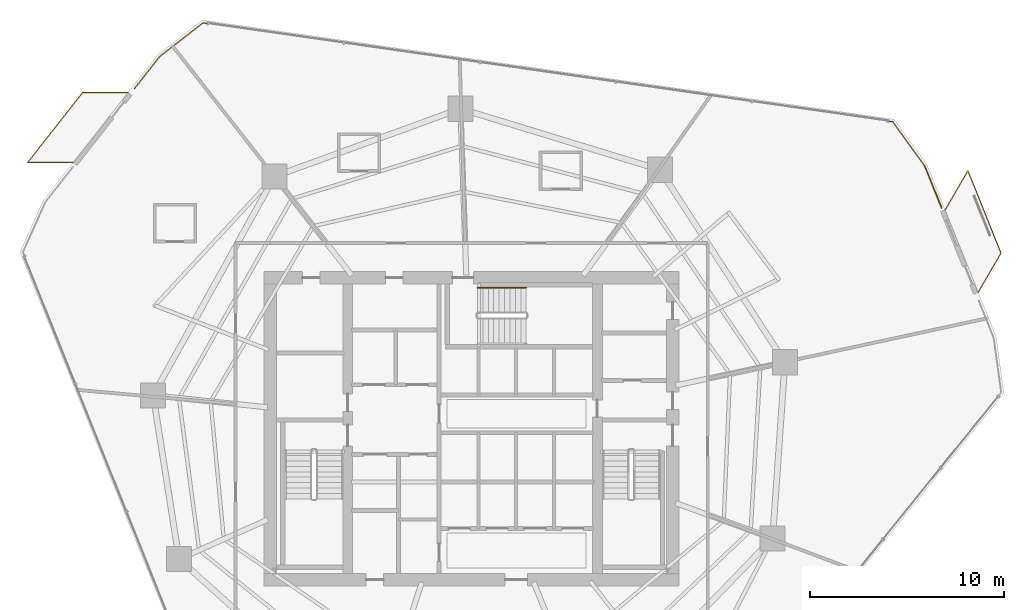
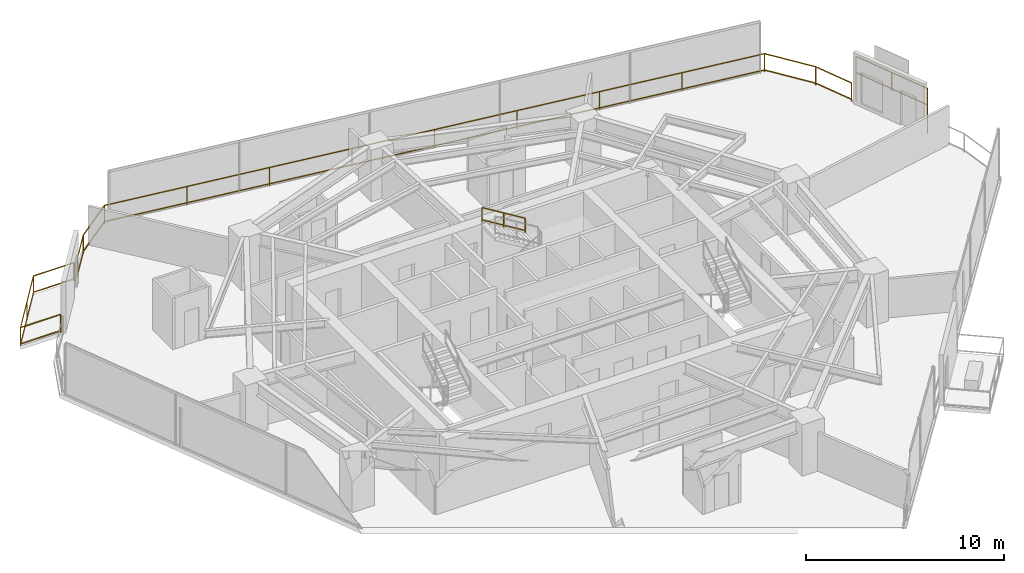
# One storey, part 32 of 32: 5 railings.
"""IFC4 building model written with IfcOpenShell, lengths in metres."""

from ifc_helpers import new_model, si_unit, direction, frame, origin, origin_2d, place, context, subcontext, project, spatial, rectangle, extrude, material, type_object, element, save


model = new_model("IFC4")

# Units and contexts
model_context = context("Model", 3, precision=1e-05, world=origin(), true_north=direction((0.0, 1.0)))
body_context = subcontext(model_context, "Body", "Model", "MODEL_VIEW")
ifc_project = project(units=[si_unit("LENGTHUNIT", "METRE"), si_unit("AREAUNIT", "SQUARE_METRE"), si_unit("VOLUMEUNIT", "CUBIC_METRE"), si_unit("PLANEANGLEUNIT", "RADIAN"), si_unit("MASSUNIT", "GRAM", prefix="KILO")], contexts=[model_context])

# Site, building, storey
site_placement = place(None, origin())
site = spatial("IfcSite", under=ifc_project, at=site_placement, CompositionType="ELEMENT")
building_placement = place(site_placement, origin())
building = spatial("IfcBuilding", under=site, at=building_placement, Name="Qarnah Convention Tower", CompositionType="ELEMENT")
storey_placement = place(building_placement, frame((0.0, 0.0, 37.35009765625)))
storey = spatial("IfcBuildingStorey", under=building, at=storey_placement, Name="L08", CompositionType="ELEMENT", Elevation=37.35009765625)

# Railings
ifc_material_1 = material(Name="Black anodised aluminium", Category="aluminium")
railing_type_1 = type_object("IfcRailingType", Name="RL-EXT-GUARD-1150", PredefinedType="GUARDRAIL", material=ifc_material_1)
railing_1_placement = place(storey_placement, frame((60.617919921875, 39.969970703125, 0.0)))
element("IfcRailing", 1, at=railing_1_placement, inside=storey, type_object=railing_type_1, Name="L08 slab-edge perimeter safety guard 01", PredefinedType="GUARDRAIL", context=body_context, shape_type="SweptSolid", body=[
    extrude(rectangle(XDim=0.048095703125, YDim=0.048095703125, at=origin_2d()), frame((0.0, 0.0, 1.1259765625), z_axis=(0.372065833732, -0.928206343099, 0.0), x_axis=(0.928206343099, 0.372065833732, 0.0)), (0.0, 0.0, 1.0), 2.306396484375),
    extrude(rectangle(XDim=0.048095703125, YDim=0.048095703125, at=origin_2d()), frame((0.0, 0.0, 0.1201171875), z_axis=(0.372065833732, -0.928206343099, 0.0), x_axis=(0.928206343099, 0.372065833732, 0.0)), (0.0, 0.0, 1.0), 2.306396484375),
    extrude(rectangle(XDim=0.0419921875, YDim=0.0419921875, at=origin_2d()), origin(), (0.0, 0.0, 1.0), 1.101806640625),
    extrude(rectangle(XDim=0.0419921875, YDim=0.0419921875, at=origin_2d()), frame((0.858154296875, -2.140869140625, 0.0)), (0.0, 0.0, 1.0), 1.101806640625),
])
railing_2_placement = place(storey_placement, frame((19.784912109375, 43.991943359375, 0.0)))
element("IfcRailing", 2, at=railing_2_placement, inside=storey, type_object=railing_type_1, Name="L08 slab-edge perimeter safety guard 04", PredefinedType="GUARDRAIL", context=body_context, shape_type="SweptSolid", body=[
    extrude(rectangle(XDim=0.048095703125, YDim=0.048095703125, at=origin_2d()), frame((0.0, 0.0, 1.1259765625), z_axis=(0.617862731712, 0.786285981537, 0.0), x_axis=(-0.786285981537, 0.617862731712, 0.0)), (0.0, 0.0, 1.0), 2.0947265625),
    extrude(rectangle(XDim=0.048095703125, YDim=0.048095703125, at=origin_2d()), frame((0.0, 0.0, 0.1201171875), z_axis=(0.617862731712, 0.786285981537, 0.0), x_axis=(-0.786285981537, 0.617862731712, 0.0)), (0.0, 0.0, 1.0), 2.0947265625),
    extrude(rectangle(XDim=0.048095703125, YDim=0.048095703125, at=origin_2d()), frame((1.294189453125, 1.64697265625, 1.1259765625), z_axis=(0.789861631732, 0.613285090898, 0.0), x_axis=(-0.613285090898, 0.789861631732, 0.0)), (0.0, 0.0, 1.0), 2.837158203125),
    extrude(rectangle(XDim=0.048095703125, YDim=0.048095703125, at=origin_2d()), frame((1.294189453125, 1.64697265625, 0.1201171875), z_axis=(0.789861631732, 0.613285090898, 0.0), x_axis=(-0.613285090898, 0.789861631732, 0.0)), (0.0, 0.0, 1.0), 2.837158203125),
    extrude(rectangle(XDim=0.048095703125, YDim=0.048095703125, at=origin_2d()), frame((3.53515625, 3.386962890625, 1.1259765625), z_axis=(0.989876531974, -0.141931150379, 0.0), x_axis=(0.141931150379, 0.989876531974, 0.0)), (0.0, 0.0, 1.0), 36.00244140625),
    extrude(rectangle(XDim=0.048095703125, YDim=0.048095703125, at=origin_2d()), frame((3.53515625, 3.386962890625, 0.1201171875), z_axis=(0.989876531974, -0.141931150379, 0.0), x_axis=(0.141931150379, 0.989876531974, 0.0)), (0.0, 0.0, 1.0), 36.00244140625),
    extrude(rectangle(XDim=0.048095703125, YDim=0.048095703125, at=origin_2d()), frame((39.173095703125, -1.722900390625, 1.1259765625), z_axis=(0.585367951773, -0.810767760236, 0.0), x_axis=(0.810767760236, 0.585367951773, 0.0)), (0.0, 0.0, 1.0), 2.835693359375),
    extrude(rectangle(XDim=0.048095703125, YDim=0.048095703125, at=origin_2d()), frame((39.173095703125, -1.722900390625, 0.1201171875), z_axis=(0.585367951773, -0.810767760236, 0.0), x_axis=(0.810767760236, 0.585367951773, 0.0)), (0.0, 0.0, 1.0), 2.835693359375),
    extrude(rectangle(XDim=0.0419921875, YDim=0.0419921875, at=origin_2d()), origin(), (0.0, 0.0, 1.0), 1.101806640625),
    extrude(rectangle(XDim=0.0419921875, YDim=0.0419921875, at=origin_2d()), frame((1.294189453125, 1.64697265625, 0.0)), (0.0, 0.0, 1.0), 1.101806640625),
    extrude(rectangle(XDim=0.0419921875, YDim=0.0419921875, at=origin_2d()), frame((3.53515625, 3.386962890625, 0.0)), (0.0, 0.0, 1.0), 1.101806640625),
    extrude(rectangle(XDim=0.0419921875, YDim=0.0419921875, at=origin_2d()), frame((7.989990234375, 2.748291015625, 0.0)), (0.0, 0.0, 1.0), 1.101806640625),
    extrude(rectangle(XDim=0.0419921875, YDim=0.0419921875, at=origin_2d()), frame((12.444580078125, 2.109375, 0.0)), (0.0, 0.0, 1.0), 1.101806640625),
    extrude(rectangle(XDim=0.0419921875, YDim=0.0419921875, at=origin_2d()), frame((16.8994140625, 1.470703125, 0.0)), (0.0, 0.0, 1.0), 1.101806640625),
    extrude(rectangle(XDim=0.0419921875, YDim=0.0419921875, at=origin_2d()), frame((21.35400390625, 0.83203125, 0.0)), (0.0, 0.0, 1.0), 1.101806640625),
    extrude(rectangle(XDim=0.0419921875, YDim=0.0419921875, at=origin_2d()), frame((25.808837890625, 0.193359375, 0.0)), (0.0, 0.0, 1.0), 1.101806640625),
    extrude(rectangle(XDim=0.0419921875, YDim=0.0419921875, at=origin_2d()), frame((30.263671875, -0.4453125, 0.0)), (0.0, 0.0, 1.0), 1.101806640625),
    extrude(rectangle(XDim=0.0419921875, YDim=0.0419921875, at=origin_2d()), frame((34.71826171875, -1.084228515625, 0.0)), (0.0, 0.0, 1.0), 1.101806640625),
    extrude(rectangle(XDim=0.0419921875, YDim=0.0419921875, at=origin_2d()), frame((39.173095703125, -1.722900390625, 0.0)), (0.0, 0.0, 1.0), 1.101806640625),
    extrude(rectangle(XDim=0.0419921875, YDim=0.0419921875, at=origin_2d()), frame((40.8330078125, -4.02197265625, 0.0)), (0.0, 0.0, 1.0), 1.101806640625),
])
railing_3_placement = place(storey_placement, frame((61.666015625, 37.718017578125, 0.0)))
element("IfcRailing", 3, at=railing_3_placement, inside=storey, type_object=railing_type_1, Name="L08 balcony safety guard BAL-L08-C1", PredefinedType="GUARDRAIL", context=body_context, shape_type="SweptSolid", body=[
    extrude(rectangle(XDim=0.048095703125, YDim=0.048095703125, at=origin_2d()), frame((0.0, 0.0, 1.1259765625), z_axis=(0.502519251092, 0.86456601962, 0.0), x_axis=(-0.86456601962, 0.502519251092, 0.0)), (0.0, 0.0, 1.0), 2.34814453125),
    extrude(rectangle(XDim=0.048095703125, YDim=0.048095703125, at=origin_2d()), frame((0.0, 0.0, 0.1201171875), z_axis=(0.502519251092, 0.86456601962, 0.0), x_axis=(-0.86456601962, 0.502519251092, 0.0)), (0.0, 0.0, 1.0), 2.34814453125),
    extrude(rectangle(XDim=0.048095703125, YDim=0.048095703125, at=origin_2d()), frame((1.179931640625, 2.030029296875, 1.1259765625), z_axis=(0.371939648456, -0.92825691374, 0.0), x_axis=(0.92825691374, 0.371939648456, 0.0)), (0.0, 0.0, 1.0), 4.60009765625),
    extrude(rectangle(XDim=0.048095703125, YDim=0.048095703125, at=origin_2d()), frame((1.179931640625, 2.030029296875, 0.1201171875), z_axis=(0.371939648456, -0.92825691374, 0.0), x_axis=(0.92825691374, 0.371939648456, 0.0)), (0.0, 0.0, 1.0), 4.60009765625),
    extrude(rectangle(XDim=0.048095703125, YDim=0.048095703125, at=origin_2d()), frame((2.890869140625, -2.239990234375, 1.1259765625), z_axis=(-0.502208274023, -0.864746696728, 0.0), x_axis=(0.864746696728, -0.502208274023, 0.0)), (0.0, 0.0, 1.0), 2.34765625),
    extrude(rectangle(XDim=0.048095703125, YDim=0.048095703125, at=origin_2d()), frame((2.890869140625, -2.239990234375, 0.1201171875), z_axis=(-0.502208274023, -0.864746696728, 0.0), x_axis=(0.864746696728, -0.502208274023, 0.0)), (0.0, 0.0, 1.0), 2.34765625),
    extrude(rectangle(XDim=0.0419921875, YDim=0.0419921875, at=origin_2d()), origin(), (0.0, 0.0, 1.0), 1.101806640625),
    extrude(rectangle(XDim=0.0419921875, YDim=0.0419921875, at=origin_2d()), frame((1.179931640625, 2.030029296875, 0.0)), (0.0, 0.0, 1.0), 1.101806640625),
    extrude(rectangle(XDim=0.0419921875, YDim=0.0419921875, at=origin_2d()), frame((2.035400390625, -0.10498046875, 0.0)), (0.0, 0.0, 1.0), 1.101806640625),
    extrude(rectangle(XDim=0.0419921875, YDim=0.0419921875, at=origin_2d()), frame((2.890869140625, -2.239990234375, 0.0)), (0.0, 0.0, 1.0), 1.101806640625),
    extrude(rectangle(XDim=0.0419921875, YDim=0.0419921875, at=origin_2d()), frame((1.7119140625, -4.27001953125, 0.0)), (0.0, 0.0, 1.0), 1.101806640625),
])
railing_4_placement = place(storey_placement, frame((16.59912109375, 40.156005859375, 0.0)))
element("IfcRailing", 4, at=railing_4_placement, inside=storey, type_object=railing_type_1, Name="L08 balcony safety guard BAL-L08-C2", PredefinedType="GUARDRAIL", context=body_context, shape_type="SweptSolid", body=[
    extrude(rectangle(XDim=0.048095703125, YDim=0.048095703125, at=origin_2d()), frame((0.0, 0.0, 1.1259765625), z_axis=(-0.999996621855, 0.002599284212, 0.0), x_axis=(-0.002599284212, -0.999996621855, 0.0)), (0.0, 0.0, 1.0), 2.34814453125),
    extrude(rectangle(XDim=0.048095703125, YDim=0.048095703125, at=origin_2d()), frame((0.0, 0.0, 0.1201171875), z_axis=(-0.999996621855, 0.002599284212, 0.0), x_axis=(-0.002599284212, -0.999996621855, 0.0)), (0.0, 0.0, 1.0), 2.34814453125),
    extrude(rectangle(XDim=0.048095703125, YDim=0.048095703125, at=origin_2d()), frame((-2.34814453125, 0.006103515625, 1.1259765625), z_axis=(0.617842647649, 0.786301763158, 0.0), x_axis=(-0.786301763158, 0.617842647649, 0.0)), (0.0, 0.0, 1.0), 4.599853515625),
    extrude(rectangle(XDim=0.048095703125, YDim=0.048095703125, at=origin_2d()), frame((-2.34814453125, 0.006103515625, 0.1201171875), z_axis=(0.617842647649, 0.786301763158, 0.0), x_axis=(-0.786301763158, 0.617842647649, 0.0)), (0.0, 0.0, 1.0), 4.599853515625),
    extrude(rectangle(XDim=0.048095703125, YDim=0.048095703125, at=origin_2d()), frame((0.493896484375, 3.623046875, 1.1259765625), z_axis=(0.999996621153, -0.00259955449, 0.0), x_axis=(0.00259955449, 0.999996621153, 0.0)), (0.0, 0.0, 1.0), 2.347900390625),
    extrude(rectangle(XDim=0.048095703125, YDim=0.048095703125, at=origin_2d()), frame((0.493896484375, 3.623046875, 0.1201171875), z_axis=(0.999996621153, -0.00259955449, 0.0), x_axis=(0.00259955449, 0.999996621153, 0.0)), (0.0, 0.0, 1.0), 2.347900390625),
    extrude(rectangle(XDim=0.0419921875, YDim=0.0419921875, at=origin_2d()), origin(), (0.0, 0.0, 1.0), 1.101806640625),
    extrude(rectangle(XDim=0.0419921875, YDim=0.0419921875, at=origin_2d()), frame((-2.34814453125, 0.006103515625, 0.0)), (0.0, 0.0, 1.0), 1.101806640625),
    extrude(rectangle(XDim=0.0419921875, YDim=0.0419921875, at=origin_2d()), frame((-0.92724609375, 1.814453125, 0.0)), (0.0, 0.0, 1.0), 1.101806640625),
    extrude(rectangle(XDim=0.0419921875, YDim=0.0419921875, at=origin_2d()), frame((0.493896484375, 3.623046875, 0.0)), (0.0, 0.0, 1.0), 1.101806640625),
    extrude(rectangle(XDim=0.0419921875, YDim=0.0419921875, at=origin_2d()), frame((2.841796875, 3.616943359375, 0.0)), (0.0, 0.0, 1.0), 1.101806640625),
])
ifc_material_2 = material(Name="Structural steel S355JR", Category="steel")
railing_type_2 = type_object("IfcRailingType", Name="RL-STAIR-HAND-900", PredefinedType="HANDRAIL", material=ifc_material_2)
railing_5_placement = place(storey_placement, frame((40.02001953125, 33.699951171875, 1.8974609375)))
element("IfcRailing", 5, at=railing_5_placement, inside=storey, type_object=railing_type_2, Name="L08 ST-3 stair handrail 2", PredefinedType="HANDRAIL", context=body_context, shape_type="SweptSolid", body=[
    extrude(rectangle(XDim=0.048095703125, YDim=0.048095703125, at=origin_2d()), frame((0.0, 0.0, 0.8759765625), z_axis=(-0.851400495292, 0.0, 0.524516154772), x_axis=(0.0, -1.0, 0.0)), (0.0, 0.0, 1.0), 2.9599609375),
    extrude(rectangle(XDim=0.048095703125, YDim=0.048095703125, at=origin_2d()), frame((0.0, 0.0, 0.1201171875), z_axis=(-0.851400495292, 0.0, 0.524516154772), x_axis=(0.0, -1.0, 0.0)), (0.0, 0.0, 1.0), 2.9599609375),
    extrude(rectangle(XDim=0.0419921875, YDim=0.0419921875, at=origin_2d()), origin(), (0.0, 0.0, 1.0), 0.851806640625),
    extrude(rectangle(XDim=0.0419921875, YDim=0.0419921875, at=origin_2d()), frame((-1.260009765625, 0.0, 0.7763671875)), (0.0, 0.0, 1.0), 0.851806640625),
    extrude(rectangle(XDim=0.0419921875, YDim=0.0419921875, at=origin_2d()), frame((-2.52001953125, 0.0, 1.552490234375)), (0.0, 0.0, 1.0), 0.851806640625),
])

save(model, "model.ifc")
